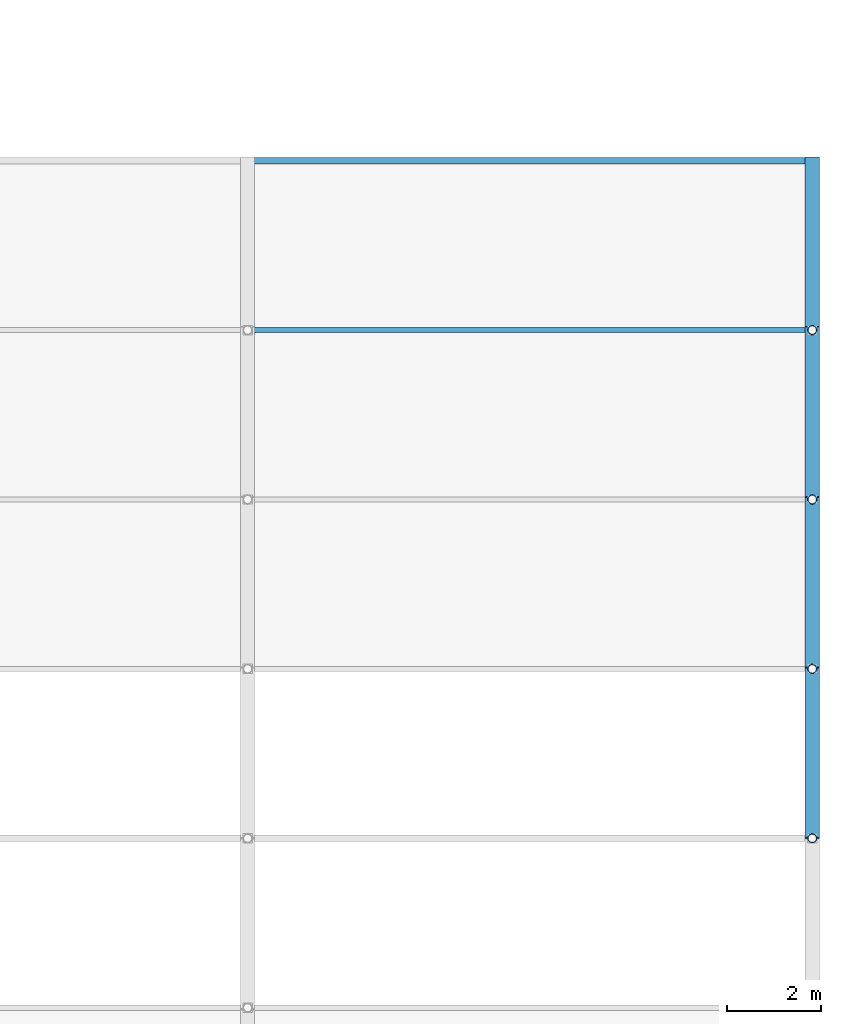
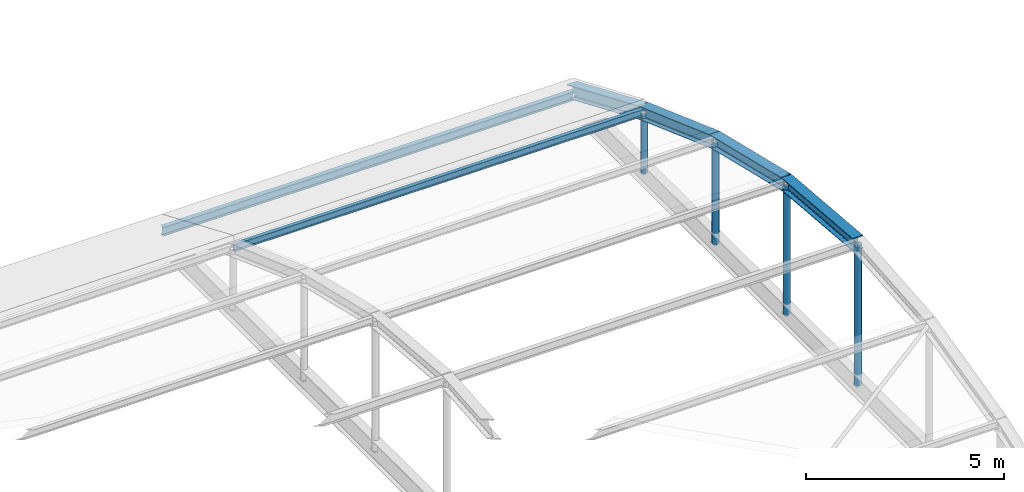
# One storey, part 187 of 239: 6 members, 4 beams.
"""IFC4 building model written with IfcOpenShell, lengths in metres."""

from ifc_helpers import new_model, si_unit, direction, frame, origin, origin_2d, place, context, subcontext, project, spatial, hollow_circle, i_section, extrude, material, material_profile, profile_set, type_object, element, save


model = new_model("IFC4")

# Units and contexts
model_context = context("Model", 3, precision=1e-05, world=origin(), true_north=direction((0.0, 1.0)))
body_context = subcontext(model_context, "Body", "Model", "MODEL_VIEW")
ifc_project = project(units=[si_unit("LENGTHUNIT", "METRE"), si_unit("AREAUNIT", "SQUARE_METRE"), si_unit("VOLUMEUNIT", "CUBIC_METRE"), si_unit("PLANEANGLEUNIT", "RADIAN"), si_unit("MASSUNIT", "GRAM", prefix="KILO")], contexts=[model_context])

# Site, building, storey
site_placement = place(None, origin())
site = spatial("IfcSite", under=ifc_project, at=site_placement, CompositionType="ELEMENT")
building_placement = place(site_placement, origin())
building = spatial("IfcBuilding", under=site, at=building_placement, Name="Dunvalen Ferry Terminal", CompositionType="ELEMENT")
storey_placement = place(building_placement, frame((0.0, 0.0, 9.840087890625)))
storey = spatial("IfcBuildingStorey", under=building, at=storey_placement, Name="L02", CompositionType="ELEMENT", Elevation=9.840087890625)

# Beams
ifc_material = material(Name="Steel S355", Category="steel")
ifc_material_profile_1 = material_profile(ifc_material, i_section(OverallWidth=0.300048828125, OverallDepth=0.389892578125, WebThickness=0.010986328125, FlangeThickness=0.01904296875, FilletRadius=0.027099609375, at=origin_2d()), Name="Steel S355")
ifc_profile_set_1 = profile_set([ifc_material_profile_1], Name="Steel S355")
beam_type = type_object("IfcBeamType", Name="STR-BM-HEA400", PredefinedType="BEAM", material=ifc_profile_set_1)
beam_1_placement = place(storey_placement, frame((168.0, 72.0, 4.0), z_axis=(0.0, 0.996437742755, -0.084331635898), x_axis=(-1.0, 0.0, 0.0)))
element("IfcBeam", 1, at=beam_1_placement, inside=storey, type_object=beam_type, Name="Arrivals Hall Barrel-Vault Arch Rib 06.5", PredefinedType="BEAM", context=body_context, shape_type="SweptSolid", body=[
    extrude(i_section(OverallWidth=0.300048828125, OverallDepth=0.389892578125, WebThickness=0.010986328125, FlangeThickness=0.01904296875, FilletRadius=0.027099609375, at=origin_2d()), origin(), (0.0, 0.0, 1.0), 3.613037109375),
])
beam_2_placement = place(storey_placement, frame((168.0, 75.60009765625, 3.6953125), z_axis=(0.0, 0.972204462661, -0.234133472154), x_axis=(-1.0, 0.0, 0.0)))
element("IfcBeam", 2, at=beam_2_placement, inside=storey, type_object=beam_type, Name="Arrivals Hall Barrel-Vault Arch Rib 06.6", PredefinedType="BEAM", context=body_context, shape_type="SweptSolid", body=[
    extrude(i_section(OverallWidth=0.300048828125, OverallDepth=0.389892578125, WebThickness=0.010986328125, FlangeThickness=0.01904296875, FilletRadius=0.027099609375, at=origin_2d()), origin(), (0.0, 0.0, 1.0), 3.702880859375),
])
beam_3_placement = place(storey_placement, frame((168.0, 79.199951171875, 2.828369140625), z_axis=(0.0, 0.940736051004, -0.33913962072), x_axis=(-1.0, 0.0, 0.0)))
element("IfcBeam", 3, at=beam_3_placement, inside=storey, type_object=beam_type, Name="Arrivals Hall Barrel-Vault Arch Rib 06.7", PredefinedType="BEAM", context=body_context, shape_type="SweptSolid", body=[
    extrude(i_section(OverallWidth=0.300048828125, OverallDepth=0.389892578125, WebThickness=0.010986328125, FlangeThickness=0.01904296875, FilletRadius=0.027099609375, at=origin_2d()), origin(), (0.0, 0.0, 1.0), 3.826904296875),
])
beam_4_placement = place(storey_placement, frame((168.0, 82.800048828125, 1.530517578125), z_axis=(0.0, 0.920277550042, -0.391266189299), x_axis=(-1.0, 0.0, 0.0)))
element("IfcBeam", 4, at=beam_4_placement, inside=storey, type_object=beam_type, Name="Arrivals Hall Barrel-Vault Arch Rib 06.8", PredefinedType="BEAM", context=body_context, shape_type="SweptSolid", body=[
    extrude(i_section(OverallWidth=0.300048828125, OverallDepth=0.389892578125, WebThickness=0.010986328125, FlangeThickness=0.01904296875, FilletRadius=0.027099609375, at=origin_2d()), origin(), (0.0, 0.0, 1.0), 3.91162109375),
])

# Members
ifc_material_profile_2 = material_profile(ifc_material, hollow_circle(Radius=0.096923828125, WallThickness=0.008056640625, at=origin_2d()), Name="Steel S355")
ifc_profile_set_2 = profile_set([ifc_material_profile_2], Name="Steel S355")
member_type_1 = type_object("IfcMemberType", Name="STR-MB-CHS193", PredefinedType="STRUT", material=ifc_profile_set_2)
member_1_placement = place(storey_placement, frame((168.0, 72.0, -0.340087890625), z_axis=(0.0, 0.0, 1.0), x_axis=(1.0, 0.0, 0.0)))
element("IfcMember", 5, at=member_1_placement, inside=storey, type_object=member_type_1, Name="Arrivals Hall Vault Hanger 06.4", PredefinedType="STRUT", context=body_context, shape_type="SweptSolid", body=[
    extrude(hollow_circle(Radius=0.096923828125, WallThickness=0.008056640625, at=origin_2d()), origin(), (0.0, 0.0, 1.0), 4.340087890625),
])
member_2_placement = place(storey_placement, frame((168.0, 75.60009765625, -0.340087890625), z_axis=(0.0, 0.0, 1.0), x_axis=(1.0, 0.0, 0.0)))
element("IfcMember", 6, at=member_2_placement, inside=storey, type_object=member_type_1, Name="Arrivals Hall Vault Hanger 06.5", PredefinedType="STRUT", context=body_context, shape_type="SweptSolid", body=[
    extrude(hollow_circle(Radius=0.096923828125, WallThickness=0.008056640625, at=origin_2d()), origin(), (0.0, 0.0, 1.0), 4.035400390625),
])
member_3_placement = place(storey_placement, frame((168.0, 79.199951171875, -0.340087890625), z_axis=(0.0, 0.0, 1.0), x_axis=(1.0, 0.0, 0.0)))
element("IfcMember", 7, at=member_3_placement, inside=storey, type_object=member_type_1, Name="Arrivals Hall Vault Hanger 06.6", PredefinedType="STRUT", context=body_context, shape_type="SweptSolid", body=[
    extrude(hollow_circle(Radius=0.096923828125, WallThickness=0.008056640625, at=origin_2d()), origin(), (0.0, 0.0, 1.0), 3.16845703125),
])
member_4_placement = place(storey_placement, frame((168.0, 82.800048828125, -0.340087890625), z_axis=(0.0, 0.0, 1.0), x_axis=(1.0, 0.0, 0.0)))
element("IfcMember", 8, at=member_4_placement, inside=storey, type_object=member_type_1, Name="Arrivals Hall Vault Hanger 06.7", PredefinedType="STRUT", context=body_context, shape_type="SweptSolid", body=[
    extrude(hollow_circle(Radius=0.096923828125, WallThickness=0.008056640625, at=origin_2d()), origin(), (0.0, 0.0, 1.0), 1.87060546875),
])
ifc_material_profile_3 = material_profile(ifc_material, i_section(OverallWidth=0.110107421875, OverallDepth=0.219970703125, WebThickness=0.005859375, FlangeThickness=0.00927734375, FilletRadius=0.011962890625, at=origin_2d()), Name="Steel S355")
ifc_profile_set_3 = profile_set([ifc_material_profile_3], Name="Steel S355")
member_type_2 = type_object("IfcMemberType", Name="STR-MB-IPE220", PredefinedType="PURLIN", material=ifc_profile_set_3)
member_5_placement = place(storey_placement, frame((156.0, 82.800048828125, 1.530517578125), z_axis=(1.0, 0.0, 0.0), x_axis=(0.0, 1.0, 0.0)))
element("IfcMember", 9, at=member_5_placement, inside=storey, type_object=member_type_2, Name="Arrivals Hall Barrel-Vault Purlin 5.8", PredefinedType="PURLIN", context=body_context, shape_type="SweptSolid", body=[
    extrude(i_section(OverallWidth=0.110107421875, OverallDepth=0.219970703125, WebThickness=0.005859375, FlangeThickness=0.00927734375, FilletRadius=0.011962890625, at=origin_2d()), origin(), (0.0, 0.0, 1.0), 12.0),
])
ifc_material_profile_4 = material_profile(ifc_material, i_section(OverallWidth=0.135009765625, OverallDepth=0.27001953125, WebThickness=0.006591796875, FlangeThickness=0.01025390625, FilletRadius=0.014892578125, at=origin_2d()), Name="Steel S355")
ifc_profile_set_4 = profile_set([ifc_material_profile_4], Name="Steel S355")
member_type_3 = type_object("IfcMemberType", Name="STR-MB-IPE270", PredefinedType="PURLIN", material=ifc_profile_set_4)
member_6_placement = place(storey_placement, frame((156.0, 86.39990234375, -0.14013671875), z_axis=(1.0, 0.0, 0.0), x_axis=(0.0, 1.0, 0.0)))
element("IfcMember", 10, at=member_6_placement, inside=storey, type_object=member_type_3, Name="Arrivals Hall Barrel-Vault Purlin 5.9", PredefinedType="PURLIN", context=body_context, shape_type="SweptSolid", body=[
    extrude(i_section(OverallWidth=0.135009765625, OverallDepth=0.27001953125, WebThickness=0.006591796875, FlangeThickness=0.01025390625, FilletRadius=0.014892578125, at=origin_2d()), origin(), (0.0, 0.0, 1.0), 12.0),
])

save(model, "model.ifc")
